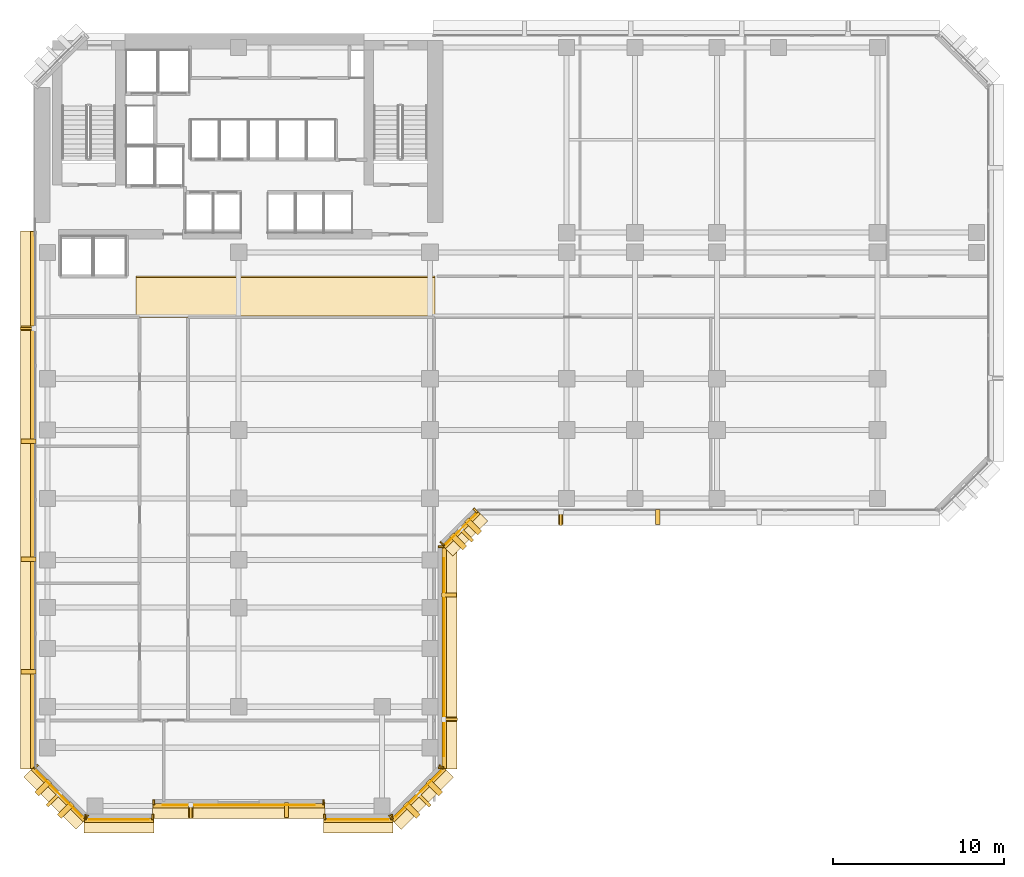
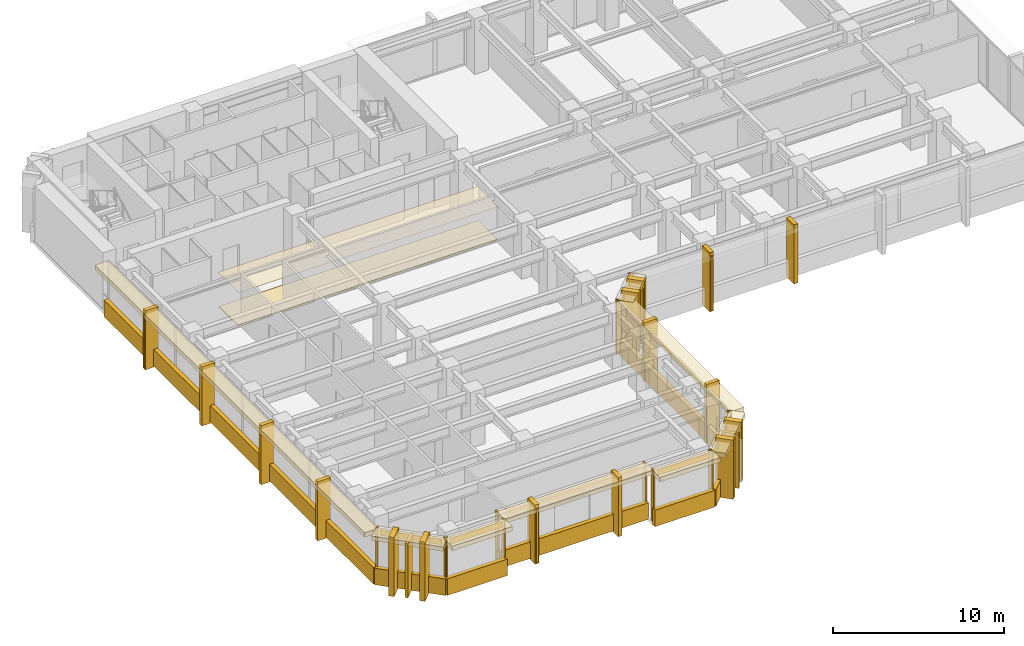
# One storey, part 9 of 13: 55 coverings, 7 shading devices.
"""IFC4 building model written with IfcOpenShell, lengths in metres."""

from ifc_helpers import new_model, si_unit, direction, frame, origin, origin_2d, place, context, subcontext, project, spatial, polyline, rectangle, outline, extrude, material, layer, layer_set, material_profile, profile_set, type_object, element, save


model = new_model("IFC4")

# Units and contexts
model_context = context("Model", 3, precision=1e-05, world=origin(), true_north=direction((0.0, 1.0)))
body_context = subcontext(model_context, "Body", "Model", "MODEL_VIEW")
ifc_project = project(units=[si_unit("LENGTHUNIT", "METRE"), si_unit("AREAUNIT", "SQUARE_METRE"), si_unit("VOLUMEUNIT", "CUBIC_METRE"), si_unit("PLANEANGLEUNIT", "RADIAN"), si_unit("MASSUNIT", "GRAM", prefix="KILO")], contexts=[model_context])

# Site, building, storey
site_placement = place(None, origin())
site = spatial("IfcSite", under=ifc_project, at=site_placement, CompositionType="ELEMENT")
building_placement = place(site_placement, origin())
building = spatial("IfcBuilding", under=site, at=building_placement, Name="Kefirva Bronze Tower", CompositionType="ELEMENT")
storey_placement = place(building_placement, frame((0.0, 0.0, 38.280029296875)))
storey = spatial("IfcBuildingStorey", under=building, at=storey_placement, Name="L08", CompositionType="ELEMENT", Elevation=38.280029296875)

# Coverings
ifc_material_1 = material(Name="Acoustic mineral tile")
ifc_layer_1 = layer(ifc_material_1, 0.02490234375, Name="Acoustic mineral tile")
ifc_layer_set_1 = layer_set([ifc_layer_1], Name="Acoustic mineral tile")
covering_type_1 = type_object("IfcCoveringType", Name="Acoustic Mineral Suspended Ceiling 25mm", PredefinedType="CEILING", material=ifc_layer_set_1)
covering_1_placement = place(storey_placement, frame((0.0, 0.0, 2.39990234375)))
element("IfcCovering", 1, at=covering_1_placement, inside=storey, type_object=covering_type_1, Name="L08 Corridor Acoustic Ceiling", PredefinedType="CEILING", context=body_context, shape_type="SweptSolid", body=[
    extrude(outline(polyline([(6.0, 29.39990234375), (23.5, 29.39990234375), (23.5, 31.800048828125), (6.0, 31.800048828125), (6.0, 29.39990234375)])), origin(), (0.0, 0.0, 1.0), 0.025146484375),
])
ifc_material_2 = material(Name="Bronze anodised aluminium", Category="aluminium")
ifc_layer_2 = layer(ifc_material_2, 0.02001953125, Name="Bronze anodised aluminium")
ifc_layer_set_2 = layer_set([ifc_layer_2], Name="Bronze anodised aluminium")
covering_type_2 = type_object("IfcCoveringType", Name="Anodised Bronze Spandrel Cladding 20mm", PredefinedType="CLADDING", material=ifc_layer_set_2)
covering_2_placement = place(storey_placement, frame((5.0, -0.010009765625, 3.2900390625), z_axis=(0.0, 0.0, 1.0), x_axis=(1.0, 0.0, 0.0)))
element("IfcCovering", 2, at=covering_2_placement, inside=storey, type_object=covering_type_2, Name="L08 Bronze Spandrel Cladding 1", PredefinedType="CLADDING", context=body_context, shape_type="SweptSolid", body=[
    extrude(rectangle(XDim=3.5009765625, YDim=0.02001953125, at=origin_2d()), origin(), (0.0, 0.0, 1.0), 0.39990234375),
])
for number, where, z_axis, x_axis, name in (
    (3, (3.034912109375, 0.159912109375, 0.0), (0.0, 0.0, 1.0), (1.0, 0.0, 0.0), "L08 Facade Joint Closure Panel 1S"),
    (4, (6.965087890625, 0.159912109375, 0.0), (0.0, 0.0, 1.0), (1.0, 0.0, 0.0), "L08 Facade Joint Closure Panel 1E"),
):
    element("IfcCovering", number, at=place(storey_placement, frame(where, z_axis=z_axis, x_axis=x_axis)), inside=storey, type_object=covering_type_2, Name=name, PredefinedType="CLADDING", context=body_context, shape_type="SweptSolid", body=[
        extrude(rectangle(XDim=0.10009765625, YDim=0.320068359375, at=origin_2d()), origin(), (0.0, 0.0, 1.0), 3.7099609375),
    ])
covering_3_placement = place(storey_placement, frame((5.0, -0.0400390625, -0.16015625), z_axis=(0.0, 0.0, 1.0), x_axis=(1.0, 0.0, 0.0)))
element("IfcCovering", 5, at=covering_3_placement, inside=storey, type_object=covering_type_2, Name="L08 Streamline Horizontal Spandrel Band 0", PredefinedType="CLADDING", context=body_context, shape_type="SweptSolid", body=[
    extrude(rectangle(XDim=4.0400390625, YDim=0.280029296875, at=origin_2d()), origin(), (0.0, 0.0, 1.0), 1.179931640625),
])
covering_4_placement = place(storey_placement, frame((12.0, 0.840087890625, 3.2900390625), z_axis=(0.0, 0.0, 1.0), x_axis=(1.0, 0.0, 0.0)))
element("IfcCovering", 6, at=covering_4_placement, inside=storey, type_object=covering_type_2, Name="L08 Bronze Spandrel Cladding 2", PredefinedType="CLADDING", context=body_context, shape_type="SweptSolid", body=[
    extrude(rectangle(XDim=8.90087890625, YDim=0.02001953125, at=origin_2d()), origin(), (0.0, 0.0, 1.0), 0.39990234375),
])
for number, where, z_axis, x_axis, name in (
    (7, (7.034912109375, 1.010009765625, 0.0), (0.0, 0.0, 1.0), (1.0, 0.0, 0.0), "L08 Facade Joint Closure Panel 2S"),
    (8, (16.965087890625, 1.010009765625, 0.0), (0.0, 0.0, 1.0), (1.0, 0.0, 0.0), "L08 Facade Joint Closure Panel 2E"),
):
    element("IfcCovering", number, at=place(storey_placement, frame(where, z_axis=z_axis, x_axis=x_axis)), inside=storey, type_object=covering_type_2, Name=name, PredefinedType="CLADDING", context=body_context, shape_type="SweptSolid", body=[
        extrude(rectangle(XDim=0.10009765625, YDim=0.320068359375, at=origin_2d()), origin(), (0.0, 0.0, 1.0), 3.7099609375),
    ])
covering_5_placement = place(storey_placement, frame((12.0, 0.81005859375, -0.16015625), z_axis=(0.0, 0.0, 1.0), x_axis=(1.0, 0.0, 0.0)))
element("IfcCovering", 9, at=covering_5_placement, inside=storey, type_object=covering_type_2, Name="L08 Streamline Horizontal Spandrel Band 2", PredefinedType="CLADDING", context=body_context, shape_type="SweptSolid", body=[
    extrude(rectangle(XDim=10.0400390625, YDim=0.280029296875, at=origin_2d()), origin(), (0.0, 0.0, 1.0), 1.179931640625),
])
covering_6_placement = place(storey_placement, frame((19.0, -0.010009765625, 3.2900390625), z_axis=(0.0, 0.0, 1.0), x_axis=(1.0, 0.0, 0.0)))
element("IfcCovering", 10, at=covering_6_placement, inside=storey, type_object=covering_type_2, Name="L08 Bronze Spandrel Cladding 3", PredefinedType="CLADDING", context=body_context, shape_type="SweptSolid", body=[
    extrude(rectangle(XDim=3.5009765625, YDim=0.02001953125, at=origin_2d()), origin(), (0.0, 0.0, 1.0), 0.39990234375),
])
for number, where, z_axis, x_axis, name in (
    (11, (17.034912109375, 0.159912109375, 0.0), (0.0, 0.0, 1.0), (1.0, 0.0, 0.0), "L08 Facade Joint Closure Panel 3S"),
    (12, (20.965087890625, 0.159912109375, 0.0), (0.0, 0.0, 1.0), (1.0, 0.0, 0.0), "L08 Facade Joint Closure Panel 3E"),
):
    element("IfcCovering", number, at=place(storey_placement, frame(where, z_axis=z_axis, x_axis=x_axis)), inside=storey, type_object=covering_type_2, Name=name, PredefinedType="CLADDING", context=body_context, shape_type="SweptSolid", body=[
        extrude(rectangle(XDim=0.10009765625, YDim=0.320068359375, at=origin_2d()), origin(), (0.0, 0.0, 1.0), 3.7099609375),
    ])
covering_7_placement = place(storey_placement, frame((19.0, -0.0400390625, -0.16015625), z_axis=(0.0, 0.0, 1.0), x_axis=(1.0, 0.0, 0.0)))
element("IfcCovering", 13, at=covering_7_placement, inside=storey, type_object=covering_type_2, Name="L08 Streamline Horizontal Spandrel Band 4", PredefinedType="CLADDING", context=body_context, shape_type="SweptSolid", body=[
    extrude(rectangle(XDim=4.0400390625, YDim=0.280029296875, at=origin_2d()), origin(), (0.0, 0.0, 1.0), 1.179931640625),
])
covering_8_placement = place(storey_placement, frame((22.507080078125, 1.492919921875, 3.2900390625), z_axis=(0.0, 0.0, 1.0), x_axis=(0.707106781187, 0.707106781187, 0.0)))
element("IfcCovering", 14, at=covering_8_placement, inside=storey, type_object=covering_type_2, Name="L08 Bronze Spandrel Cladding 4", PredefinedType="CLADDING", context=body_context, shape_type="SweptSolid", body=[
    extrude(rectangle(XDim=3.719482421875, YDim=0.02001953125, at=origin_2d()), origin(), (0.0, 0.0, 1.0), 0.39990234375),
])
for number, where, z_axis, x_axis, name in (
    (15, (20.91162109375, 0.137939453125, 0.0), (0.0, 0.0, 1.0), (0.707106781187, 0.707106781187, 0.0), "L08 Facade Joint Closure Panel 4S"),
    (16, (23.862060546875, 3.08837890625, 0.0), (0.0, 0.0, 1.0), (0.707106781187, 0.707106781187, 0.0), "L08 Facade Joint Closure Panel 4E"),
):
    element("IfcCovering", number, at=place(storey_placement, frame(where, z_axis=z_axis, x_axis=x_axis)), inside=storey, type_object=covering_type_2, Name=name, PredefinedType="CLADDING", context=body_context, shape_type="SweptSolid", body=[
        extrude(rectangle(XDim=0.10009765625, YDim=0.320068359375, at=origin_2d()), origin(), (0.0, 0.0, 1.0), 3.7099609375),
    ])
covering_9_placement = place(storey_placement, frame((22.5283203125, 1.4716796875, -0.16015625), z_axis=(0.0, 0.0, 1.0), x_axis=(0.707106781187, 0.707106781187, 0.0)))
element("IfcCovering", 17, at=covering_9_placement, inside=storey, type_object=covering_type_2, Name="L08 Streamline Horizontal Spandrel Band 5", PredefinedType="CLADDING", context=body_context, shape_type="SweptSolid", body=[
    extrude(rectangle(XDim=4.28271484375, YDim=0.280029296875, at=origin_2d()), origin(), (0.0, 0.0, 1.0), 1.179931640625),
])
covering_10_placement = place(storey_placement, frame((24.010009765625, 9.5, 3.2900390625), z_axis=(0.0, 0.0, 1.0), x_axis=(0.0, 1.0, 0.0)))
element("IfcCovering", 18, at=covering_10_placement, inside=storey, type_object=covering_type_2, Name="L08 Bronze Spandrel Cladding 5", PredefinedType="CLADDING", context=body_context, shape_type="SweptSolid", body=[
    extrude(rectangle(XDim=11.60107421875, YDim=0.02001953125, at=origin_2d()), origin(), (0.0, 0.0, 1.0), 0.39990234375),
])
for number, where, z_axis, x_axis, name in (
    (19, (23.840087890625, 3.034912109375, 0.0), (0.0, 0.0, 1.0), (0.0, 1.0, 0.0), "L08 Facade Joint Closure Panel 5S"),
    (20, (23.840087890625, 15.965087890625, 0.0), (0.0, 0.0, 1.0), (0.0, 1.0, 0.0), "L08 Facade Joint Closure Panel 5E"),
):
    element("IfcCovering", number, at=place(storey_placement, frame(where, z_axis=z_axis, x_axis=x_axis)), inside=storey, type_object=covering_type_2, Name=name, PredefinedType="CLADDING", context=body_context, shape_type="SweptSolid", body=[
        extrude(rectangle(XDim=0.10009765625, YDim=0.320068359375, at=origin_2d()), origin(), (0.0, 0.0, 1.0), 3.7099609375),
    ])
covering_11_placement = place(storey_placement, frame((24.0400390625, 9.5, -0.16015625), z_axis=(0.0, 0.0, 1.0), x_axis=(0.0, 1.0, 0.0)))
element("IfcCovering", 21, at=covering_11_placement, inside=storey, type_object=covering_type_2, Name="L08 Streamline Horizontal Spandrel Band 6", PredefinedType="CLADDING", context=body_context, shape_type="SweptSolid", body=[
    extrude(rectangle(XDim=13.0400390625, YDim=0.280029296875, at=origin_2d()), origin(), (0.0, 0.0, 1.0), 1.179931640625),
])
covering_12_placement = place(storey_placement, frame((25.007080078125, 16.992919921875, 3.2900390625), z_axis=(0.0, 0.0, 1.0), x_axis=(0.707106781187, 0.707106781187, 0.0)))
element("IfcCovering", 22, at=covering_12_placement, inside=storey, type_object=covering_type_2, Name="L08 Bronze Spandrel Cladding 6", PredefinedType="CLADDING", context=body_context, shape_type="SweptSolid", body=[
    extrude(rectangle(XDim=2.446533203125, YDim=0.02001953125, at=origin_2d()), origin(), (0.0, 0.0, 1.0), 0.39990234375),
])
for number, where, z_axis, x_axis, name in (
    (23, (23.91162109375, 16.137939453125, 0.0), (0.0, 0.0, 1.0), (0.707106781187, 0.707106781187, 0.0), "L08 Facade Joint Closure Panel 6S"),
    (24, (25.862060546875, 18.08837890625, 0.0), (0.0, 0.0, 1.0), (0.707106781187, 0.707106781187, 0.0), "L08 Facade Joint Closure Panel 6E"),
):
    element("IfcCovering", number, at=place(storey_placement, frame(where, z_axis=z_axis, x_axis=x_axis)), inside=storey, type_object=covering_type_2, Name=name, PredefinedType="CLADDING", context=body_context, shape_type="SweptSolid", body=[
        extrude(rectangle(XDim=0.10009765625, YDim=0.320068359375, at=origin_2d()), origin(), (0.0, 0.0, 1.0), 3.7099609375),
    ])
covering_13_placement = place(storey_placement, frame((25.0283203125, 16.9716796875, -0.16015625), z_axis=(0.0, 0.0, 1.0), x_axis=(0.707106781187, 0.707106781187, 0.0)))
element("IfcCovering", 25, at=covering_13_placement, inside=storey, type_object=covering_type_2, Name="L08 Streamline Horizontal Spandrel Band 7", PredefinedType="CLADDING", context=body_context, shape_type="SweptSolid", body=[
    extrude(rectangle(XDim=2.868408203125, YDim=0.280029296875, at=origin_2d()), origin(), (0.0, 0.0, 1.0), 1.179931640625),
])
covering_14_placement = place(storey_placement, frame((-0.0400390625, 18.697509765625, -0.16015625), z_axis=(0.0, 0.0, 1.0), x_axis=(0.0, -1.0, 0.0)))
element("IfcCovering", 26, at=covering_14_placement, inside=storey, type_object=covering_type_2, Name="L08 Streamline Horizontal Spandrel Band 14", PredefinedType="CLADDING", context=body_context, shape_type="SweptSolid", body=[
    extrude(rectangle(XDim=31.43505859375, YDim=0.280029296875, at=origin_2d()), origin(), (0.0, 0.0, 1.0), 1.179931640625),
])
covering_15_placement = place(storey_placement, frame((1.492919921875, 1.492919921875, 3.2900390625), z_axis=(0.0, 0.0, 1.0), x_axis=(0.707106781187, -0.707106781187, 0.0)))
element("IfcCovering", 27, at=covering_15_placement, inside=storey, type_object=covering_type_2, Name="L08 Bronze Spandrel Cladding 10", PredefinedType="CLADDING", context=body_context, shape_type="SweptSolid", body=[
    extrude(rectangle(XDim=3.719482421875, YDim=0.02001953125, at=origin_2d()), origin(), (0.0, 0.0, 1.0), 0.39990234375),
])
for number, where, z_axis, x_axis, name in (
    (28, (0.137939453125, 3.08837890625, 0.0), (0.0, 0.0, 1.0), (0.707106781187, -0.707106781187, 0.0), "L08 Facade Joint Closure Panel 10S"),
    (29, (3.08837890625, 0.137939453125, 0.0), (0.0, 0.0, 1.0), (0.707106781187, -0.707106781187, 0.0), "L08 Facade Joint Closure Panel 10E"),
):
    element("IfcCovering", number, at=place(storey_placement, frame(where, z_axis=z_axis, x_axis=x_axis)), inside=storey, type_object=covering_type_2, Name=name, PredefinedType="CLADDING", context=body_context, shape_type="SweptSolid", body=[
        extrude(rectangle(XDim=0.10009765625, YDim=0.320068359375, at=origin_2d()), origin(), (0.0, 0.0, 1.0), 3.7099609375),
    ])
covering_16_placement = place(storey_placement, frame((1.4716796875, 1.4716796875, -0.16015625), z_axis=(0.0, 0.0, 1.0), x_axis=(0.707106781187, -0.707106781187, 0.0)))
element("IfcCovering", 30, at=covering_16_placement, inside=storey, type_object=covering_type_2, Name="L08 Streamline Horizontal Spandrel Band 15", PredefinedType="CLADDING", context=body_context, shape_type="SweptSolid", body=[
    extrude(rectangle(XDim=4.28271484375, YDim=0.280029296875, at=origin_2d()), origin(), (0.0, 0.0, 1.0), 1.179931640625),
])

# Shading devices
ifc_material_profile_1 = material_profile(ifc_material_2, rectangle(XDim=0.179931640625, YDim=1.080078125, at=origin_2d()), Name="BRONZE BUTTRESS FIN 180x1080")
ifc_profile_set_1 = profile_set([ifc_material_profile_1], Name="Bronze anodised aluminium")
shading_device_type_1 = type_object("IfcShadingDeviceType", Name="Chamfered Corner Buttress Bronze Fin 1080mm", PredefinedType="USERDEFINED", material=ifc_profile_set_1)
for number, where, z_axis, x_axis, name in (
    (31, (22.8251953125, 1.1748046875, -0.14013671875), (0.0, 0.0, 1.0), (0.707106781187, 0.707106781187, 0.0), "L08 Chamfered Corner Buttress Fin 4"),
    (32, (25.3251953125, 16.6748046875, -0.14013671875), (0.0, 0.0, 1.0), (0.707106781187, 0.707106781187, 0.0), "L08 Chamfered Corner Buttress Fin 8"),
    (33, (1.1748046875, 1.1748046875, -0.14013671875), (0.0, 0.0, 1.0), (0.707106781187, -0.707106781187, 0.0), "L08 Chamfered Corner Buttress Fin 30"),
):
    element("IfcShadingDevice", number, at=place(storey_placement, frame(where, z_axis=z_axis, x_axis=x_axis)), inside=storey, type_object=shading_device_type_1, Name=name, ObjectType="VERTICAL FIN", PredefinedType="USERDEFINED", context=body_context, shape_type="SweptSolid", body=[
        extrude(rectangle(XDim=0.179931640625, YDim=1.080078125, at=origin_2d()), origin(), (0.0, 0.0, 1.0), 3.85009765625),
    ])

# Coverings
ifc_material_3 = material(Name="Calcium sulphate access tile")
ifc_layer_3 = layer(ifc_material_3, 0.044921875, Name="Calcium sulphate access tile")
ifc_layer_set_3 = layer_set([ifc_layer_3], Name="Calcium sulphate access tile")
covering_type_3 = type_object("IfcCoveringType", Name="Raised Access Office Flooring 45mm", PredefinedType="FLOORING", material=ifc_layer_set_3)
covering_17_placement = place(storey_placement, origin())
element("IfcCovering", 34, at=covering_17_placement, inside=storey, type_object=covering_type_3, Name="L08 Architectural Finish Flooring", PredefinedType="FLOORING", context=body_context, shape_type="SweptSolid", body=[
    extrude(outline(polyline([(6.0, 29.47998046875), (23.5, 29.47998046875), (23.5, 31.719970703125), (6.0, 31.719970703125), (6.0, 29.47998046875)])), origin(), (0.0, 0.0, 1.0), 0.044921875),
])
ifc_layer_4 = layer(ifc_material_2, 0.179931640625, Name="Bronze anodised aluminium")
ifc_layer_set_4 = layer_set([ifc_layer_4], Name="Bronze anodised aluminium")
covering_type_4 = type_object("IfcCoveringType", Name="Streamline Bronze Sunshade Eyebrow Cladding 180mm", PredefinedType="CLADDING", material=ifc_layer_set_4)
covering_18_placement = place(storey_placement, frame((5.0, -0.31005859375, 3.39013671875), z_axis=(0.0, 0.0, 1.0), x_axis=(1.0, 0.0, 0.0)))
element("IfcCovering", 35, at=covering_18_placement, inside=storey, type_object=covering_type_4, Name="L08 Streamline Bronze Sunshade Eyebrow 0", PredefinedType="CLADDING", context=body_context, shape_type="SweptSolid", body=[
    extrude(rectangle(XDim=4.080078125, YDim=0.93994140625, at=origin_2d()), origin(), (0.0, 0.0, 1.0), 0.320068359375),
])
covering_19_placement = place(storey_placement, frame((12.0, 0.5400390625, 3.39013671875), z_axis=(0.0, 0.0, 1.0), x_axis=(1.0, 0.0, 0.0)))
element("IfcCovering", 36, at=covering_19_placement, inside=storey, type_object=covering_type_4, Name="L08 Streamline Bronze Sunshade Eyebrow 2", PredefinedType="CLADDING", context=body_context, shape_type="SweptSolid", body=[
    extrude(rectangle(XDim=10.080078125, YDim=0.93994140625, at=origin_2d()), origin(), (0.0, 0.0, 1.0), 0.320068359375),
])
covering_20_placement = place(storey_placement, frame((19.0, -0.31005859375, 3.39013671875), z_axis=(0.0, 0.0, 1.0), x_axis=(1.0, 0.0, 0.0)))
element("IfcCovering", 37, at=covering_20_placement, inside=storey, type_object=covering_type_4, Name="L08 Streamline Bronze Sunshade Eyebrow 4", PredefinedType="CLADDING", context=body_context, shape_type="SweptSolid", body=[
    extrude(rectangle(XDim=4.080078125, YDim=0.93994140625, at=origin_2d()), origin(), (0.0, 0.0, 1.0), 0.320068359375),
])
covering_21_placement = place(storey_placement, frame((22.71923828125, 1.28076171875, 3.39013671875), z_axis=(0.0, 0.0, 1.0), x_axis=(0.707106781187, 0.707106781187, 0.0)))
element("IfcCovering", 38, at=covering_21_placement, inside=storey, type_object=covering_type_4, Name="L08 Streamline Bronze Sunshade Eyebrow 5", PredefinedType="CLADDING", context=body_context, shape_type="SweptSolid", body=[
    extrude(rectangle(XDim=4.322509765625, YDim=0.93994140625, at=origin_2d()), origin(), (0.0, 0.0, 1.0), 0.320068359375),
])
covering_22_placement = place(storey_placement, frame((24.31005859375, 9.5, 3.39013671875), z_axis=(0.0, 0.0, 1.0), x_axis=(0.0, 1.0, 0.0)))
element("IfcCovering", 39, at=covering_22_placement, inside=storey, type_object=covering_type_4, Name="L08 Streamline Bronze Sunshade Eyebrow 6", PredefinedType="CLADDING", context=body_context, shape_type="SweptSolid", body=[
    extrude(rectangle(XDim=13.080078125, YDim=0.93994140625, at=origin_2d()), origin(), (0.0, 0.0, 1.0), 0.320068359375),
])
covering_23_placement = place(storey_placement, frame((25.21923828125, 16.78076171875, 3.39013671875), z_axis=(0.0, 0.0, 1.0), x_axis=(0.707106781187, 0.707106781187, 0.0)))
element("IfcCovering", 40, at=covering_23_placement, inside=storey, type_object=covering_type_4, Name="L08 Streamline Bronze Sunshade Eyebrow 7", PredefinedType="CLADDING", context=body_context, shape_type="SweptSolid", body=[
    extrude(rectangle(XDim=2.908447265625, YDim=0.93994140625, at=origin_2d()), origin(), (0.0, 0.0, 1.0), 0.320068359375),
])
covering_24_placement = place(storey_placement, frame((-0.31005859375, 18.697509765625, 3.39013671875), z_axis=(0.0, 0.0, 1.0), x_axis=(0.0, -1.0, 0.0)))
element("IfcCovering", 41, at=covering_24_placement, inside=storey, type_object=covering_type_4, Name="L08 Streamline Bronze Sunshade Eyebrow 14", PredefinedType="CLADDING", context=body_context, shape_type="SweptSolid", body=[
    extrude(rectangle(XDim=31.47509765625, YDim=0.93994140625, at=origin_2d()), origin(), (0.0, 0.0, 1.0), 0.320068359375),
])
covering_25_placement = place(storey_placement, frame((1.28076171875, 1.28076171875, 3.39013671875), z_axis=(0.0, 0.0, 1.0), x_axis=(0.707106781187, -0.707106781187, 0.0)))
element("IfcCovering", 42, at=covering_25_placement, inside=storey, type_object=covering_type_4, Name="L08 Streamline Bronze Sunshade Eyebrow 15", PredefinedType="CLADDING", context=body_context, shape_type="SweptSolid", body=[
    extrude(rectangle(XDim=4.322509765625, YDim=0.93994140625, at=origin_2d()), origin(), (0.0, 0.0, 1.0), 0.320068359375),
])
ifc_layer_5 = layer(ifc_material_2, 0.260009765625, Name="Bronze anodised aluminium")
ifc_layer_set_5 = layer_set([ifc_layer_5], Name="Bronze anodised aluminium")
covering_type_5 = type_object("IfcCoveringType", Name="Unbroken Bronze Buttress Fin Cladding 260mm", PredefinedType="CLADDING", material=ifc_layer_set_5)
for number, where, z_axis, x_axis, name in (
    (43, (9.199951171875, 0.550048828125, -0.25), (0.0, 0.0, 1.0), (1.0, 0.0, 0.0), "L08 Unbroken Vertical Bronze Rib Fin 1"),
    (44, (14.800048828125, 0.550048828125, -0.25), (0.0, 0.0, 1.0), (1.0, 0.0, 0.0), "L08 Unbroken Vertical Bronze Rib Fin 2"),
):
    element("IfcCovering", number, at=place(storey_placement, frame(where, z_axis=z_axis, x_axis=x_axis)), inside=storey, type_object=covering_type_5, Name=name, PredefinedType="CLADDING", context=body_context, shape_type="SweptSolid", body=[
        extrude(rectangle(XDim=0.260009765625, YDim=0.8798828125, at=origin_2d()), origin(), (0.0, 0.0, 1.0), 4.2099609375),
    ])
for number, where, z_axis, x_axis, name in (
    (45, (22.122802734375, 0.55712890625, -0.25), (0.0, 0.0, 1.0), (0.707106781187, 0.707106781187, 0.0), "L08 Chamfered Corner Buttress Fin Cladding 3"),
    (46, (23.44287109375, 1.877197265625, -0.25), (0.0, 0.0, 1.0), (0.707106781187, 0.707106781187, 0.0), "L08 Chamfered Corner Buttress Fin Cladding 4"),
):
    element("IfcCovering", number, at=place(storey_placement, frame(where, z_axis=z_axis, x_axis=x_axis)), inside=storey, type_object=covering_type_5, Name=name, PredefinedType="CLADDING", context=body_context, shape_type="SweptSolid", body=[
        extrude(rectangle(XDim=0.340087890625, YDim=1.080078125, at=origin_2d()), origin(), (0.0, 0.0, 1.0), 4.2099609375),
    ])
for number, where, z_axis, x_axis, name in (
    (47, (24.300048828125, 5.860107421875, -0.25), (0.0, 0.0, 1.0), (0.0, 1.0, 0.0), "L08 Unbroken Vertical Bronze Rib Fin 5"),
    (48, (24.300048828125, 13.139892578125, -0.25), (0.0, 0.0, 1.0), (0.0, 1.0, 0.0), "L08 Unbroken Vertical Bronze Rib Fin 6"),
):
    element("IfcCovering", number, at=place(storey_placement, frame(where, z_axis=z_axis, x_axis=x_axis)), inside=storey, type_object=covering_type_5, Name=name, PredefinedType="CLADDING", context=body_context, shape_type="SweptSolid", body=[
        extrude(rectangle(XDim=0.260009765625, YDim=0.8798828125, at=origin_2d()), origin(), (0.0, 0.0, 1.0), 4.2099609375),
    ])
for number, where, z_axis, x_axis, name in (
    (49, (24.8427734375, 16.277099609375, -0.25), (0.0, 0.0, 1.0), (0.707106781187, 0.707106781187, 0.0), "L08 Chamfered Corner Buttress Fin Cladding 7"),
    (50, (25.722900390625, 17.1572265625, -0.25), (0.0, 0.0, 1.0), (0.707106781187, 0.707106781187, 0.0), "L08 Chamfered Corner Buttress Fin Cladding 8"),
):
    element("IfcCovering", number, at=place(storey_placement, frame(where, z_axis=z_axis, x_axis=x_axis)), inside=storey, type_object=covering_type_5, Name=name, PredefinedType="CLADDING", context=body_context, shape_type="SweptSolid", body=[
        extrude(rectangle(XDim=0.340087890625, YDim=1.080078125, at=origin_2d()), origin(), (0.0, 0.0, 1.0), 4.2099609375),
    ])
for number, where, z_axis, x_axis, name in (
    (51, (30.860107421875, 17.699951171875, -0.25), (0.0, 0.0, 1.0), (1.0, 0.0, 0.0), "L08 Unbroken Vertical Bronze Rib Fin 9"),
    (52, (36.530029296875, 17.699951171875, -0.25), (0.0, 0.0, 1.0), (1.0, 0.0, 0.0), "L08 Unbroken Vertical Bronze Rib Fin 10"),
    (53, (-0.300048828125, 28.743896484375, -0.25), (0.0, 0.0, 1.0), (0.0, -1.0, 0.0), "L08 Unbroken Vertical Bronze Rib Fin 25"),
    (54, (-0.300048828125, 22.15087890625, -0.25), (0.0, 0.0, 1.0), (0.0, -1.0, 0.0), "L08 Unbroken Vertical Bronze Rib Fin 26"),
    (55, (-0.300048828125, 15.244140625, -0.25), (0.0, 0.0, 1.0), (0.0, -1.0, 0.0), "L08 Unbroken Vertical Bronze Rib Fin 27"),
    (56, (-0.300048828125, 8.651123046875, -0.25), (0.0, 0.0, 1.0), (0.0, -1.0, 0.0), "L08 Unbroken Vertical Bronze Rib Fin 28"),
):
    element("IfcCovering", number, at=place(storey_placement, frame(where, z_axis=z_axis, x_axis=x_axis)), inside=storey, type_object=covering_type_5, Name=name, PredefinedType="CLADDING", context=body_context, shape_type="SweptSolid", body=[
        extrude(rectangle(XDim=0.260009765625, YDim=0.8798828125, at=origin_2d()), origin(), (0.0, 0.0, 1.0), 4.2099609375),
    ])
for number, where, z_axis, x_axis, name in (
    (57, (0.55712890625, 1.877197265625, -0.25), (0.0, 0.0, 1.0), (0.707106781187, -0.707106781187, 0.0), "L08 Chamfered Corner Buttress Fin Cladding 29"),
    (58, (1.877197265625, 0.55712890625, -0.25), (0.0, 0.0, 1.0), (0.707106781187, -0.707106781187, 0.0), "L08 Chamfered Corner Buttress Fin Cladding 30"),
):
    element("IfcCovering", number, at=place(storey_placement, frame(where, z_axis=z_axis, x_axis=x_axis)), inside=storey, type_object=covering_type_5, Name=name, PredefinedType="CLADDING", context=body_context, shape_type="SweptSolid", body=[
        extrude(rectangle(XDim=0.340087890625, YDim=1.080078125, at=origin_2d()), origin(), (0.0, 0.0, 1.0), 4.2099609375),
    ])

# Shading devices
ifc_material_profile_2 = material_profile(ifc_material_2, rectangle(XDim=0.139892578125, YDim=0.8798828125, at=origin_2d()), Name="BRONZE FIN 140x880")
ifc_profile_set_2 = profile_set([ifc_material_profile_2], Name="Bronze anodised aluminium")
shading_device_type_2 = type_object("IfcShadingDeviceType", Name="Unbroken Vertical Bronze Facade Fin 880mm", PredefinedType="USERDEFINED", material=ifc_profile_set_2)
for number, where, z_axis, x_axis, name in (
    (59, (9.199951171875, 0.489990234375, -0.14013671875), (0.0, 0.0, 1.0), (1.0, 0.0, 0.0), "L08 Vertical Bronze Rib Fin 1"),
    (60, (24.360107421875, 5.860107421875, -0.14013671875), (0.0, 0.0, 1.0), (0.0, 1.0, 0.0), "L08 Vertical Bronze Rib Fin 5"),
    (61, (30.860107421875, 17.639892578125, -0.14013671875), (0.0, 0.0, 1.0), (1.0, 0.0, 0.0), "L08 Vertical Bronze Rib Fin 9"),
    (62, (-0.360107421875, 28.743896484375, -0.14013671875), (0.0, 0.0, 1.0), (0.0, -1.0, 0.0), "L08 Vertical Bronze Rib Fin 25"),
):
    element("IfcShadingDevice", number, at=place(storey_placement, frame(where, z_axis=z_axis, x_axis=x_axis)), inside=storey, type_object=shading_device_type_2, Name=name, ObjectType="VERTICAL FIN", PredefinedType="USERDEFINED", context=body_context, shape_type="SweptSolid", body=[
        extrude(rectangle(XDim=0.139892578125, YDim=0.8798828125, at=origin_2d()), origin(), (0.0, 0.0, 1.0), 3.85009765625),
    ])

save(model, "model.ifc")
